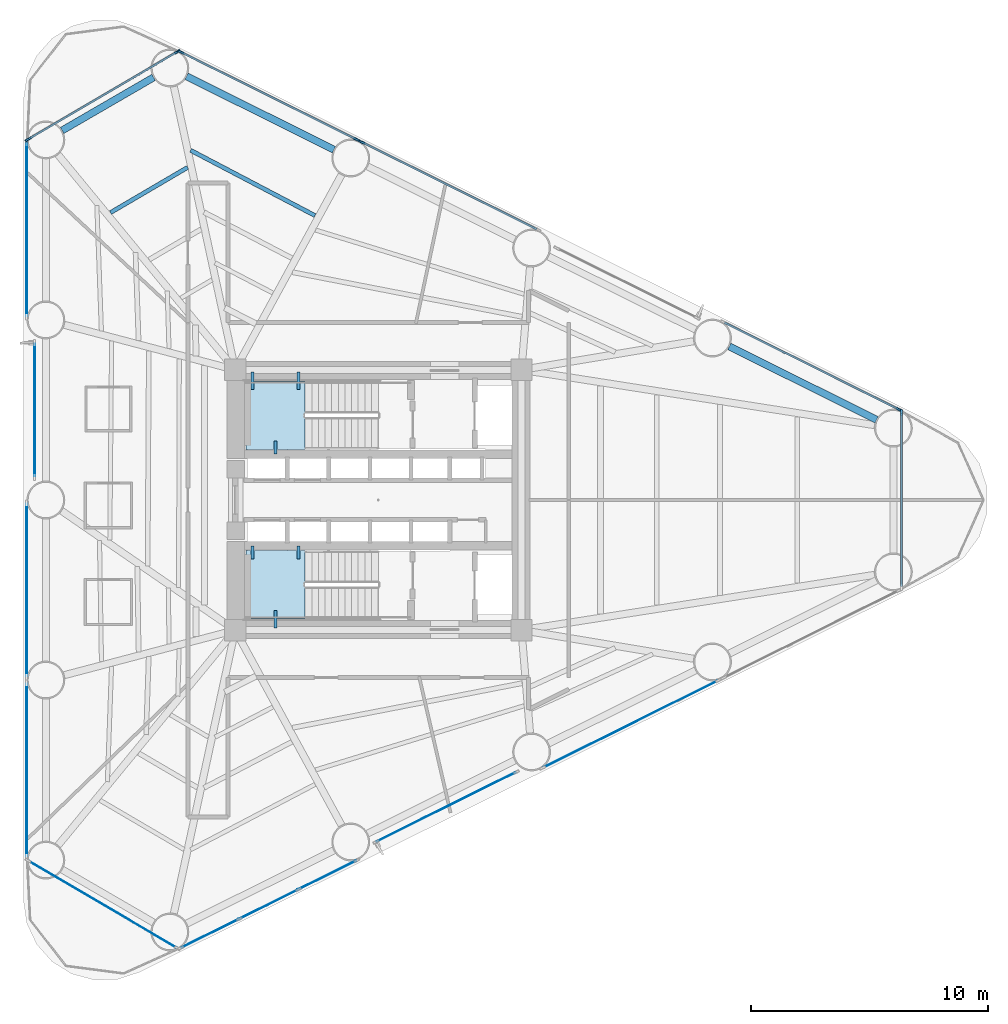
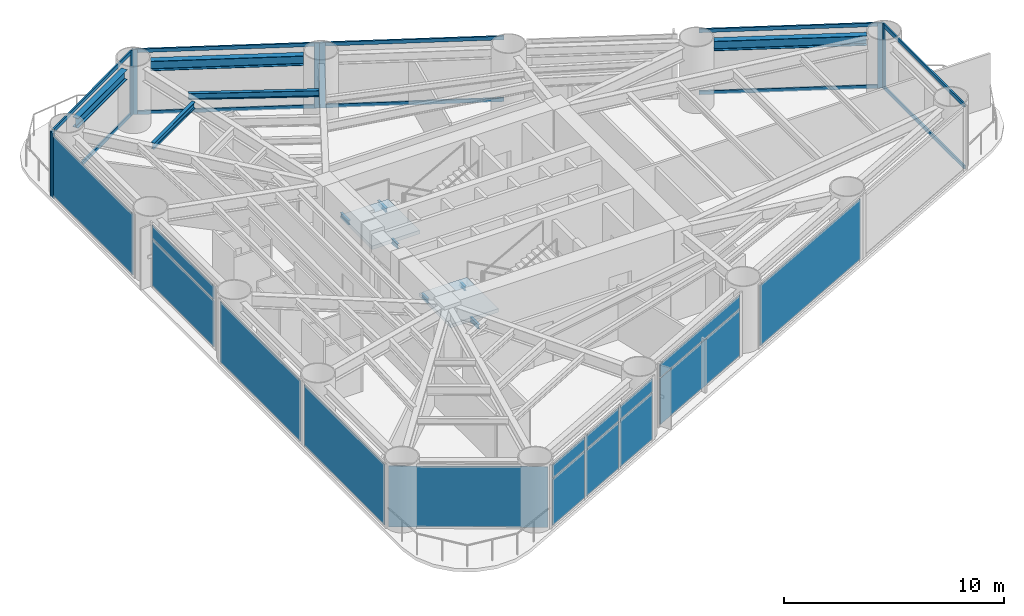
# One storey, part 4 of 10: 18 members, 15 plates, 11 beams, 2 slabs, 15 elements without a shape of their own.
"""IFC4 building model written with IfcOpenShell, lengths in metres."""

from ifc_helpers import new_model, si_unit, direction, frame, origin, origin_2d, place, context, subcontext, project, spatial, polyline, rectangle, i_section, outline, extrude, source, transform, mapped, material, layer, layer_set, material_profile, profile_set, type_object, element, aggregate, save


model = new_model("IFC4")

# Units and contexts
model_context = context("Model", 3, precision=1e-05, world=origin(), true_north=direction((0.0, 1.0)))
body_context = subcontext(model_context, "Body", "Model", "MODEL_VIEW")
ifc_project = project(units=[si_unit("LENGTHUNIT", "METRE"), si_unit("AREAUNIT", "SQUARE_METRE"), si_unit("VOLUMEUNIT", "CUBIC_METRE"), si_unit("PLANEANGLEUNIT", "RADIAN"), si_unit("MASSUNIT", "GRAM", prefix="KILO")], contexts=[model_context])

# Site, building, storey
site_placement = place(None, origin())
site = spatial("IfcSite", under=ifc_project, at=site_placement, CompositionType="ELEMENT")
building_placement = place(site_placement, origin())
building = spatial("IfcBuilding", under=site, at=building_placement, Name="Yunling Apex Tower", CompositionType="ELEMENT")
storey_placement = place(building_placement, frame((0.0, 0.0, 27.5)))
storey = spatial("IfcBuildingStorey", under=building, at=storey_placement, Name="L08", CompositionType="ELEMENT", Elevation=27.5)

# Beams
ifc_material_1 = material(Name="Steel Q355B", Category="steel")
ifc_material_profile_1 = material_profile(ifc_material_1, i_section(OverallWidth=0.125, OverallDepth=0.25, WebThickness=0.006103515625, FlangeThickness=0.009033203125, FilletRadius=0.011962890625, at=origin_2d()))
ifc_profile_set_1 = profile_set([ifc_material_profile_1], Name="Steel Q355B")
beam_type_1 = type_object("IfcBeamType", Name="BL-LNT-1", PredefinedType="LINTEL", material=ifc_profile_set_1)
shared_shape_1 = source(origin(), body_context, "Body", "SweptSolid", [
    extrude(i_section(OverallWidth=0.125, OverallDepth=0.25, WebThickness=0.006103515625, FlangeThickness=0.009033203125, FilletRadius=0.011962890625, at=origin_2d()), origin(), (0.0, 0.0, 1.0), 0.760009765625),
])
for number, where, z_axis, x_axis, name in (
    (1, (-5.320068359375, 5.419921875, 1.530029296875), (0.0, -1.0, 0.0), (1.0, 0.0, 0.0), "L08 ST-1 Landing Bearing Corbel 1-1"),
    (2, (-3.3701171875, 5.419921875, 1.530029296875), (0.0, -1.0, 0.0), (1.0, 0.0, 0.0), "L08 ST-1 Landing Bearing Corbel 1-2"),
    (3, (-4.344970703125, -5.419921875, 1.530029296875), (0.0, 1.0, 0.0), (-1.0, 0.0, 0.0), "L08 ST-2 Landing Bearing Corbel 1-3"),
):
    element("IfcBeam", number, at=place(storey_placement, frame(where, z_axis=z_axis, x_axis=x_axis)), inside=storey, type_object=beam_type_1, Name=name, PredefinedType="LINTEL", context=body_context, shape_type="MappedRepresentation", body=[
        mapped(shared_shape_1, transform((0.0, 0.0, 0.0), scale=1.0)),
    ])
shared_shape_2 = source(origin(), body_context, "Body", "SweptSolid", [
    extrude(i_section(OverallWidth=0.125, OverallDepth=0.25, WebThickness=0.006103515625, FlangeThickness=0.009033203125, FilletRadius=0.011962890625, at=origin_2d()), origin(), (0.0, 0.0, 1.0), 0.550048828125),
])
for number, where, z_axis, x_axis, name in (
    (4, (-4.344970703125, 1.93994140625, 1.530029296875), (0.0, 1.0, 0.0), (-1.0, 0.0, 0.0), "L08 ST-1 Landing Bearing Corbel 1-3"),
    (5, (-5.320068359375, -1.93994140625, 1.530029296875), (0.0, -1.0, 0.0), (1.0, 0.0, 0.0), "L08 ST-2 Landing Bearing Corbel 1-1"),
    (6, (-3.3701171875, -1.93994140625, 1.530029296875), (0.0, -1.0, 0.0), (1.0, 0.0, 0.0), "L08 ST-2 Landing Bearing Corbel 1-2"),
):
    element("IfcBeam", number, at=place(storey_placement, frame(where, z_axis=z_axis, x_axis=x_axis)), inside=storey, type_object=beam_type_1, Name=name, PredefinedType="LINTEL", context=body_context, shape_type="MappedRepresentation", body=[
        mapped(shared_shape_2, transform((0.0, 0.0, 0.0), scale=1.0)),
    ])
ifc_material_profile_2 = material_profile(ifc_material_1, i_section(OverallWidth=0.300048828125, OverallDepth=0.5400390625, WebThickness=0.011962890625, FlangeThickness=0.02001953125, FilletRadius=0.02392578125, at=origin_2d()))
ifc_profile_set_2 = profile_set([ifc_material_profile_2], Name="Steel Q355B")
beam_type_2 = type_object("IfcBeamType", Name="BP-SPN-1", PredefinedType="SPANDREL", material=ifc_profile_set_2)
shared_shape_3 = source(origin(), body_context, "Body", "SweptSolid", [
    extrude(i_section(OverallWidth=0.300048828125, OverallDepth=0.5400390625, WebThickness=0.011962890625, FlangeThickness=0.02001953125, FilletRadius=0.02392578125, at=origin_2d()), origin(), (0.0, 0.0, 1.0), 6.950927734375),
])
for number, where, z_axis, x_axis, name in (
    (7, (21.055419921875, 3.392578125, 3.2451171875), (-0.895247556401, 0.445569088646, 0.0), (-0.445569088646, -0.895247556401, 0.0), "L08 Perimeter Spandrel Beam 6"),
    (8, (-1.8779296875, 14.806884765625, 3.2451171875), (-0.89524058306, 0.445583099368, 0.0), (-0.445583099368, -0.89524058306, 0.0), "L08 Perimeter Spandrel Beam 9"),
):
    element("IfcBeam", number, at=place(storey_placement, frame(where, z_axis=z_axis, x_axis=x_axis)), inside=storey, type_object=beam_type_2, Name=name, PredefinedType="SPANDREL", context=body_context, shape_type="MappedRepresentation", body=[
        mapped(shared_shape_3, transform((0.0, 0.0, 0.0), scale=1.0)),
    ])
shared_shape_4 = source(origin(), body_context, "Body", "SweptSolid", [
    extrude(i_section(OverallWidth=0.300048828125, OverallDepth=0.5400390625, WebThickness=0.011962890625, FlangeThickness=0.02001953125, FilletRadius=0.02392578125, at=origin_2d()), origin(), (0.0, 0.0, 1.0), 4.469970703125),
])
beam_1_placement = place(storey_placement, frame((-9.498291015625, 17.859619140625, 3.2451171875), z_axis=(-0.865055841155, -0.501675584102, 0.0), x_axis=(0.501675584102, -0.865055841155, 0.0)))
element("IfcBeam", 9, at=beam_1_placement, inside=storey, type_object=beam_type_2, Name="L08 Perimeter Spandrel Beam 10", PredefinedType="SPANDREL", context=body_context, shape_type="MappedRepresentation", body=[
    mapped(shared_shape_4, transform((0.0, 0.0, 0.0), scale=1.0)),
])
ifc_material_profile_3 = material_profile(ifc_material_1, i_section(OverallWidth=0.175048828125, OverallDepth=0.35009765625, WebThickness=0.007080078125, FlangeThickness=0.010986328125, FilletRadius=0.013916015625, at=origin_2d()))
ifc_profile_set_3 = profile_set([ifc_material_profile_3], Name="Steel Q355B")
beam_type_3 = type_object("IfcBeamType", Name="BJ-JST-1", PredefinedType="JOIST", material=ifc_profile_set_3)
shared_shape_5 = source(origin(), body_context, "Body", "SweptSolid", [
    extrude(i_section(OverallWidth=0.175048828125, OverallDepth=0.35009765625, WebThickness=0.007080078125, FlangeThickness=0.010986328125, FilletRadius=0.013916015625, at=origin_2d()), origin(), (0.0, 0.0, 1.0), 5.935791015625),
])
beam_2_placement = place(storey_placement, frame((-2.676513671875, 12.02001953125, 3.340087890625), z_axis=(-0.885494794786, 0.464649296144, 0.0), x_axis=(-0.464649296144, -0.885494794786, 0.0)))
element("IfcBeam", 10, at=beam_2_placement, inside=storey, type_object=beam_type_3, Name="L08 Composite Floor Joist BJ1-9", PredefinedType="JOIST", context=body_context, shape_type="MappedRepresentation", body=[
    mapped(shared_shape_5, transform((0.0, 0.0, 0.0), scale=1.0)),
])
shared_shape_6 = source(origin(), body_context, "Body", "SweptSolid", [
    extrude(i_section(OverallWidth=0.175048828125, OverallDepth=0.35009765625, WebThickness=0.007080078125, FlangeThickness=0.010986328125, FilletRadius=0.013916015625, at=origin_2d()), origin(), (0.0, 0.0, 1.0), 3.77880859375),
])
beam_3_placement = place(storey_placement, frame((-8.05810546875, 14.05810546875, 3.340087890625), z_axis=(-0.862642562353, -0.50581400694, 0.0), x_axis=(0.50581400694, -0.862642562353, 0.0)))
element("IfcBeam", 11, at=beam_3_placement, inside=storey, type_object=beam_type_3, Name="L08 Composite Floor Joist BJ1-10", PredefinedType="JOIST", context=body_context, shape_type="MappedRepresentation", body=[
    mapped(shared_shape_6, transform((0.0, 0.0, 0.0), scale=1.0)),
])

# Curtain wall, member
ifc_material_2 = material(Name="Bronze anodised aluminium", Category="aluminium")
ifc_layer_1 = layer(ifc_material_2, 0.260009765625)
ifc_layer_set_1 = layer_set([ifc_layer_1], Name="Bronze anodised aluminium")
curtain_wall_type = type_object("IfcCurtainWallType", Name="CW-SYS-2", PredefinedType="NOTDEFINED", material=ifc_layer_set_1)
curtain_wall_1_placement = place(storey_placement, origin())
curtain_wall_1 = element("IfcCurtainWall", 12, at=curtain_wall_1_placement, inside=storey, type_object=curtain_wall_type, Name="CW-L08-CRN1", PredefinedType="NOTDEFINED")
ifc_material_profile_4 = material_profile(ifc_material_2, rectangle(XDim=0.0849609375, YDim=0.260009765625, at=origin_2d()))
ifc_profile_set_4 = profile_set([ifc_material_profile_4], Name="Bronze anodised aluminium")
member_type_1 = type_object("IfcMemberType", Name="CW-MUL-2", PredefinedType="MULLION", material=ifc_profile_set_4)
shared_shape_7 = source(origin(), body_context, "Body", "SweptSolid", [
    extrude(rectangle(XDim=0.0849609375, YDim=0.260009765625, at=origin_2d()), origin(), (0.0, 0.0, 1.0), 3.614990234375),
])
member_1_placement = place(storey_placement, frame((22.1181640625, 3.70361328125, -0.050048828125), z_axis=(0.0, 0.0, 1.0), x_axis=(-1.0, 0.0, 0.0)))
member_1 = element("IfcMember", 13, at=member_1_placement, type_object=member_type_1, Name="CW-SYS-2 mullion 2", PredefinedType="MULLION", context=body_context, shape_type="MappedRepresentation", body=[
    mapped(shared_shape_7, transform((0.0, 0.0, 0.0), scale=1.0)),
])

curtain_wall_2_placement = place(storey_placement, origin())
curtain_wall_2 = element("IfcCurtainWall", 14, at=curtain_wall_2_placement, inside=storey, type_object=curtain_wall_type, Name="CW-L08-F2-B1", PredefinedType="NOTDEFINED")
member_2_placement = place(storey_placement, frame((22.017333984375, 3.818603515625, -0.050048828125), z_axis=(0.0, 0.0, 1.0), x_axis=(-0.445580190214, -0.895242031011, 0.0)))
member_2 = element("IfcMember", 15, at=member_2_placement, type_object=member_type_1, Name="CW-SYS-2 mullion 1", PredefinedType="MULLION", context=body_context, shape_type="MappedRepresentation", body=[
    mapped(shared_shape_7, transform((0.0, 0.0, 0.0), scale=1.0)),
])

curtain_wall_3_placement = place(storey_placement, origin())
curtain_wall_3 = element("IfcCurtainWall", 16, at=curtain_wall_3_placement, inside=storey, type_object=curtain_wall_type, Name="CW-L08-F2-B3", PredefinedType="NOTDEFINED")
member_3_placement = place(storey_placement, frame((-0.696533203125, 15.123779296875, -0.050048828125), z_axis=(0.0, 0.0, 1.0), x_axis=(-0.445580190214, -0.895242031011, 0.0)))
member_3 = element("IfcMember", 17, at=member_3_placement, type_object=member_type_1, Name="CW-SYS-2 mullion 2", PredefinedType="MULLION", context=body_context, shape_type="MappedRepresentation", body=[
    mapped(shared_shape_7, transform((0.0, 0.0, 0.0), scale=1.0)),
])

# Curtain wall, members
curtain_wall_4_placement = place(storey_placement, origin())
curtain_wall_4 = element("IfcCurtainWall", 18, at=curtain_wall_4_placement, inside=storey, type_object=curtain_wall_type, Name="CW-L08-F2-B4", PredefinedType="NOTDEFINED")
member_4_placement = place(storey_placement, frame((-0.915771484375, 15.23291015625, -0.050048828125), z_axis=(0.0, 0.0, 1.0), x_axis=(-0.445570625003, -0.895246791748, 0.0)))
member_4 = element("IfcMember", 19, at=member_4_placement, type_object=member_type_1, Name="CW-SYS-2 mullion 1", PredefinedType="MULLION", context=body_context, shape_type="MappedRepresentation", body=[
    mapped(shared_shape_7, transform((0.0, 0.0, 0.0), scale=1.0)),
])
member_5_placement = place(storey_placement, frame((-8.341064453125, 18.928466796875, -0.050048828125), z_axis=(0.0, 0.0, 1.0), x_axis=(-0.445570625003, -0.895246791748, 0.0)))
member_5 = element("IfcMember", 20, at=member_5_placement, type_object=member_type_1, Name="CW-SYS-2 mullion 2", PredefinedType="MULLION", context=body_context, shape_type="MappedRepresentation", body=[
    mapped(shared_shape_7, transform((0.0, 0.0, 0.0), scale=1.0)),
])

curtain_wall_5_placement = place(storey_placement, origin())
curtain_wall_5 = element("IfcCurtainWall", 21, at=curtain_wall_5_placement, inside=storey, type_object=curtain_wall_type, Name="CW-L08-CRN2", PredefinedType="NOTDEFINED")
member_6_placement = place(storey_placement, frame((-8.49609375, 18.943603515625, -0.050048828125), z_axis=(0.0, 0.0, 1.0), x_axis=(0.506195543811, -0.86241873323, 0.0)))
member_6 = element("IfcMember", 22, at=member_6_placement, type_object=member_type_1, Name="CW-SYS-2 mullion 1", PredefinedType="MULLION", context=body_context, shape_type="MappedRepresentation", body=[
    mapped(shared_shape_7, transform((0.0, 0.0, 0.0), scale=1.0)),
])
member_7_placement = place(storey_placement, frame((-14.805419921875, 15.240478515625, -0.050048828125), z_axis=(0.0, 0.0, 1.0), x_axis=(0.506195543811, -0.86241873323, 0.0)))
member_7 = element("IfcMember", 23, at=member_7_placement, type_object=member_type_1, Name="CW-SYS-2 mullion 2", PredefinedType="MULLION", context=body_context, shape_type="MappedRepresentation", body=[
    mapped(shared_shape_7, transform((0.0, 0.0, 0.0), scale=1.0)),
])

# Curtain wall, member
curtain_wall_6_placement = place(storey_placement, origin())
curtain_wall_6 = element("IfcCurtainWall", 24, at=curtain_wall_6_placement, inside=storey, type_object=curtain_wall_type, Name="CW-L08-F3-B1", PredefinedType="NOTDEFINED")
member_8_placement = place(storey_placement, frame((-14.862060546875, 15.096435546875, -0.050048828125), z_axis=(0.0, 0.0, 1.0), x_axis=(1.0, 0.0, 0.0)))
member_8 = element("IfcMember", 25, at=member_8_placement, type_object=member_type_1, Name="CW-SYS-2 mullion 1", PredefinedType="MULLION", context=body_context, shape_type="MappedRepresentation", body=[
    mapped(shared_shape_7, transform((0.0, 0.0, 0.0), scale=1.0)),
])

# Member
ifc_material_profile_5 = material_profile(ifc_material_2, rectangle(XDim=0.0849609375, YDim=0.199951171875, at=origin_2d()))
ifc_profile_set_5 = profile_set([ifc_material_profile_5], Name="Bronze anodised aluminium")
member_type_2 = type_object("IfcMemberType", Name="CW-TRN-2", PredefinedType="USERDEFINED", material=ifc_profile_set_5)
shared_shape_8 = source(origin(), body_context, "Body", "SweptSolid", [
    extrude(rectangle(XDim=0.0849609375, YDim=0.199951171875, at=origin_2d()), origin(), (0.0, 0.0, 1.0), 8.217529296875),
])
member_9_placement = place(storey_placement, frame((6.6943359375, 11.445068359375, 0.04248046875), z_axis=(-0.895239752613, 0.445584767852, 0.0), x_axis=(-0.445584767852, -0.895239752613, 0.0)))
member_9 = element("IfcMember", 26, at=member_9_placement, type_object=member_type_2, Name="CW-SYS-2 transom 1.1", ObjectType="TRANSOM", PredefinedType="USERDEFINED", context=body_context, shape_type="MappedRepresentation", body=[
    mapped(shared_shape_8, transform((0.0, 0.0, 0.0), scale=1.0)),
])

member_10_placement = place(storey_placement, frame((6.6943359375, 11.445068359375, 3.472412109375), z_axis=(-0.895239752613, 0.445584767852, 0.0), x_axis=(-0.445584767852, -0.895239752613, 0.0)))
member_10 = element("IfcMember", 27, at=member_10_placement, type_object=member_type_2, Name="CW-SYS-2 transom 1.2", ObjectType="TRANSOM", PredefinedType="USERDEFINED", context=body_context, shape_type="MappedRepresentation", body=[
    mapped(shared_shape_8, transform((0.0, 0.0, 0.0), scale=1.0)),
])

aggregate(curtain_wall_3, [member_3, member_9, member_10])

shared_shape_9 = source(origin(), body_context, "Body", "SweptSolid", [
    extrude(rectangle(XDim=0.0849609375, YDim=0.199951171875, at=origin_2d()), origin(), (0.0, 0.0, 1.0), 8.21728515625),
])
member_11_placement = place(storey_placement, frame((21.983154296875, 3.835693359375, 0.04248046875), z_axis=(-0.895245705371, 0.445572807761, 0.0), x_axis=(-0.445572807761, -0.895245705371, 0.0)))
member_11 = element("IfcMember", 28, at=member_11_placement, type_object=member_type_2, Name="CW-SYS-2 transom 1.1", ObjectType="TRANSOM", PredefinedType="USERDEFINED", context=body_context, shape_type="MappedRepresentation", body=[
    mapped(shared_shape_9, transform((0.0, 0.0, 0.0), scale=1.0)),
])

member_12_placement = place(storey_placement, frame((21.983154296875, 3.835693359375, 3.472412109375), z_axis=(-0.895245705371, 0.445572807761, 0.0), x_axis=(-0.445572807761, -0.895245705371, 0.0)))
member_12 = element("IfcMember", 29, at=member_12_placement, type_object=member_type_2, Name="CW-SYS-2 transom 1.2", ObjectType="TRANSOM", PredefinedType="USERDEFINED", context=body_context, shape_type="MappedRepresentation", body=[
    mapped(shared_shape_9, transform((0.0, 0.0, 0.0), scale=1.0)),
])

aggregate(curtain_wall_2, [member_2, member_11, member_12])

member_13_placement = place(storey_placement, frame((-0.9501953125, 15.25, 0.04248046875), z_axis=(-0.895245705371, 0.445572807761, 0.0), x_axis=(-0.445572807761, -0.895245705371, 0.0)))
member_13 = element("IfcMember", 30, at=member_13_placement, type_object=member_type_2, Name="CW-SYS-2 transom 1.1", ObjectType="TRANSOM", PredefinedType="USERDEFINED", context=body_context, shape_type="MappedRepresentation", body=[
    mapped(shared_shape_9, transform((0.0, 0.0, 0.0), scale=1.0)),
])

member_14_placement = place(storey_placement, frame((-0.9501953125, 15.25, 3.472412109375), z_axis=(-0.895245705371, 0.445572807761, 0.0), x_axis=(-0.445572807761, -0.895245705371, 0.0)))
member_14 = element("IfcMember", 31, at=member_14_placement, type_object=member_type_2, Name="CW-SYS-2 transom 1.2", ObjectType="TRANSOM", PredefinedType="USERDEFINED", context=body_context, shape_type="MappedRepresentation", body=[
    mapped(shared_shape_9, transform((0.0, 0.0, 0.0), scale=1.0)),
])

aggregate(curtain_wall_4, [member_4, member_5, member_13, member_14])

shared_shape_10 = source(origin(), body_context, "Body", "SweptSolid", [
    extrude(rectangle(XDim=0.0849609375, YDim=0.199951171875, at=origin_2d()), origin(), (0.0, 0.0, 1.0), 7.33056640625),
])
member_15_placement = place(storey_placement, frame((22.1181640625, -3.665283203125, 0.04248046875), z_axis=(0.0, 1.0, 0.0), x_axis=(-1.0, 0.0, 0.0)))
member_15 = element("IfcMember", 32, at=member_15_placement, type_object=member_type_2, Name="CW-SYS-2 transom 1.1", ObjectType="TRANSOM", PredefinedType="USERDEFINED", context=body_context, shape_type="MappedRepresentation", body=[
    mapped(shared_shape_10, transform((0.0, 0.0, 0.0), scale=1.0)),
])

member_16_placement = place(storey_placement, frame((22.1181640625, -3.665283203125, 3.472412109375), z_axis=(0.0, 1.0, 0.0), x_axis=(-1.0, 0.0, 0.0)))
member_16 = element("IfcMember", 33, at=member_16_placement, type_object=member_type_2, Name="CW-SYS-2 transom 1.2", ObjectType="TRANSOM", PredefinedType="USERDEFINED", context=body_context, shape_type="MappedRepresentation", body=[
    mapped(shared_shape_10, transform((0.0, 0.0, 0.0), scale=1.0)),
])

aggregate(curtain_wall_1, [member_1, member_15, member_16])

shared_shape_11 = source(origin(), body_context, "Body", "SweptSolid", [
    extrude(rectangle(XDim=0.0849609375, YDim=0.199951171875, at=origin_2d()), origin(), (0.0, 0.0, 1.0), 7.239501953125),
])
member_17_placement = place(storey_placement, frame((-8.529052734375, 18.92431640625, 0.04248046875), z_axis=(-0.862419304353, -0.506194570772, 0.0), x_axis=(0.506194570772, -0.862419304353, 0.0)))
member_17 = element("IfcMember", 34, at=member_17_placement, type_object=member_type_2, Name="CW-SYS-2 transom 1.1", ObjectType="TRANSOM", PredefinedType="USERDEFINED", context=body_context, shape_type="MappedRepresentation", body=[
    mapped(shared_shape_11, transform((0.0, 0.0, 0.0), scale=1.0)),
])

member_18_placement = place(storey_placement, frame((-8.529052734375, 18.92431640625, 3.472412109375), z_axis=(-0.862419304353, -0.506194570772, 0.0), x_axis=(0.506194570772, -0.862419304353, 0.0)))
member_18 = element("IfcMember", 35, at=member_18_placement, type_object=member_type_2, Name="CW-SYS-2 transom 1.2", ObjectType="TRANSOM", PredefinedType="USERDEFINED", context=body_context, shape_type="MappedRepresentation", body=[
    mapped(shared_shape_11, transform((0.0, 0.0, 0.0), scale=1.0)),
])

aggregate(curtain_wall_5, [member_6, member_7, member_17, member_18])

# Stair, slab
ifc_material_3 = material(Name="Concrete C40", Category="concrete")
stair_type = type_object("IfcStairType", Name="ST-TWR-1", PredefinedType="HALF_TURN_STAIR", material=ifc_material_3)
stair_1_placement = place(storey_placement, origin())
stair_1 = element("IfcStair", 36, at=stair_1_placement, inside=storey, type_object=stair_type, Name="L08 North Core Smokeproof Exit Stair ST-1", PredefinedType="HALF_TURN_STAIR")
ifc_layer_2 = layer(ifc_material_3, 0.195068359375)
ifc_layer_set_2 = layer_set([ifc_layer_2], Name="Concrete C40")
slab_type = type_object("IfcSlabType", Name="SL-LND-1", PredefinedType="LANDING", material=ifc_layer_set_2)
slab_1_placement = place(storey_placement, frame((0.0, 0.0, 1.655029296875)))
slab_1 = element("IfcSlab", 37, at=slab_1_placement, type_object=slab_type, Name="ST-1 landing 1", PredefinedType="LANDING", context=body_context, shape_type="SweptSolid", body=[
    extrude(outline(polyline([(-3.090087890625, 5.010009765625), (-5.60009765625, 5.010009765625), (-5.60009765625, 2.139892578125), (-3.090087890625, 2.139892578125), (-3.090087890625, 5.010009765625)])), origin(), (0.0, 0.0, 1.0), 0.195068359375),
])
aggregate(stair_1, [slab_1])

stair_2_placement = place(storey_placement, origin())
stair_2 = element("IfcStair", 38, at=stair_2_placement, inside=storey, type_object=stair_type, Name="L08 South Core Smokeproof Exit Stair ST-2", PredefinedType="HALF_TURN_STAIR")
slab_2_placement = place(storey_placement, frame((0.0, 0.0, 1.655029296875)))
slab_2 = element("IfcSlab", 39, at=slab_2_placement, type_object=slab_type, Name="ST-2 landing 1", PredefinedType="LANDING", context=body_context, shape_type="SweptSolid", body=[
    extrude(outline(polyline([(-3.090087890625, -2.139892578125), (-5.60009765625, -2.139892578125), (-5.60009765625, -5.010009765625), (-3.090087890625, -5.010009765625), (-3.090087890625, -2.139892578125)])), origin(), (0.0, 0.0, 1.0), 0.195068359375),
])
aggregate(stair_2, [slab_2])

# Curtain wall, plates
curtain_wall_7_placement = place(storey_placement, origin())
curtain_wall_7 = element("IfcCurtainWall", 40, at=curtain_wall_7_placement, inside=storey, type_object=curtain_wall_type, Name="CW-L08-F1-B1", PredefinedType="NOTDEFINED")
ifc_material_4 = material(Name="Bronze tinted low-E glass", Category="glass")
ifc_layer_3 = layer(ifc_material_4, 0.033935546875)
ifc_layer_set_3 = layer_set([ifc_layer_3], Name="Bronze tinted low-E glass")
plate_type = type_object("IfcPlateType", Name="CW-PNL-2", PredefinedType="CURTAIN_PANEL", material=ifc_layer_set_3)
shared_shape_12 = source(origin(), body_context, "Body", "SweptSolid", [
    extrude(rectangle(XDim=2.681884765625, YDim=0.033935546875, at=origin_2d()), origin(), (0.0, 0.0, 1.0), 2.560302734375),
])
plate_1_placement = place(storey_placement, frame((-7.10986328125, -18.315673828125, 0.07666015625), z_axis=(0.0, 0.0, 1.0), x_axis=(0.895246791748, 0.445570625003, 0.0)))
plate_1 = element("IfcPlate", 41, at=plate_1_placement, type_object=plate_type, Name="CW-SYS-2 panel 1.1", PredefinedType="CURTAIN_PANEL", context=body_context, shape_type="MappedRepresentation", body=[
    mapped(shared_shape_12, transform((0.0, 0.0, 0.0), scale=1.0)),
])
plate_2_placement = place(storey_placement, frame((-2.14697265625, -15.845703125, 0.07666015625), z_axis=(0.0, 0.0, 1.0), x_axis=(0.895246791748, 0.445570625003, 0.0)))
plate_2 = element("IfcPlate", 42, at=plate_2_placement, type_object=plate_type, Name="CW-SYS-2 panel 3.1", PredefinedType="CURTAIN_PANEL", context=body_context, shape_type="MappedRepresentation", body=[
    mapped(shared_shape_12, transform((0.0, 0.0, 0.0), scale=1.0)),
])
shared_shape_13 = source(origin(), body_context, "Body", "SweptSolid", [
    extrude(rectangle(XDim=2.681884765625, YDim=0.033935546875, at=origin_2d()), origin(), (0.0, 0.0, 1.0), 0.732666015625),
])
plate_3_placement = place(storey_placement, frame((-7.10986328125, -18.315673828125, 2.70556640625), z_axis=(0.0, 0.0, 1.0), x_axis=(0.895246791748, 0.445570625003, 0.0)))
plate_3 = element("IfcPlate", 43, at=plate_3_placement, type_object=plate_type, Name="CW-SYS-2 panel 1.2", PredefinedType="CURTAIN_PANEL", context=body_context, shape_type="MappedRepresentation", body=[
    mapped(shared_shape_13, transform((0.0, 0.0, 0.0), scale=1.0)),
])
plate_4_placement = place(storey_placement, frame((-2.14697265625, -15.845703125, 2.70556640625), z_axis=(0.0, 0.0, 1.0), x_axis=(0.895246791748, 0.445570625003, 0.0)))
plate_4 = element("IfcPlate", 44, at=plate_4_placement, type_object=plate_type, Name="CW-SYS-2 panel 3.2", PredefinedType="CURTAIN_PANEL", context=body_context, shape_type="MappedRepresentation", body=[
    mapped(shared_shape_13, transform((0.0, 0.0, 0.0), scale=1.0)),
])
shared_shape_14 = source(origin(), body_context, "Body", "SweptSolid", [
    extrude(rectangle(XDim=2.724365234375, YDim=0.033935546875, at=origin_2d()), origin(), (0.0, 0.0, 1.0), 2.560302734375),
])
plate_5_placement = place(storey_placement, frame((-4.62841796875, -17.08056640625, 0.07666015625), z_axis=(0.0, 0.0, 1.0), x_axis=(0.895246791748, 0.445570625003, 0.0)))
plate_5 = element("IfcPlate", 45, at=plate_5_placement, type_object=plate_type, Name="CW-SYS-2 panel 2.1", PredefinedType="CURTAIN_PANEL", context=body_context, shape_type="MappedRepresentation", body=[
    mapped(shared_shape_14, transform((0.0, 0.0, 0.0), scale=1.0)),
])
shared_shape_15 = source(origin(), body_context, "Body", "SweptSolid", [
    extrude(rectangle(XDim=2.724365234375, YDim=0.033935546875, at=origin_2d()), origin(), (0.0, 0.0, 1.0), 0.732666015625),
])
plate_6_placement = place(storey_placement, frame((-4.62841796875, -17.08056640625, 2.70556640625), z_axis=(0.0, 0.0, 1.0), x_axis=(0.895246791748, 0.445570625003, 0.0)))
plate_6 = element("IfcPlate", 46, at=plate_6_placement, type_object=plate_type, Name="CW-SYS-2 panel 2.2", PredefinedType="CURTAIN_PANEL", context=body_context, shape_type="MappedRepresentation", body=[
    mapped(shared_shape_15, transform((0.0, 0.0, 0.0), scale=1.0)),
])
aggregate(curtain_wall_7, [plate_1, plate_3, plate_5, plate_6, plate_2, plate_4])

# Curtain wall, plate
curtain_wall_8_placement = place(storey_placement, origin())
curtain_wall_8 = element("IfcCurtainWall", 47, at=curtain_wall_8_placement, inside=storey, type_object=curtain_wall_type, Name="CW-L08-F1-B3", PredefinedType="NOTDEFINED")
shared_shape_16 = source(origin(), body_context, "Body", "SweptSolid", [
    extrude(rectangle(XDim=8.225341796875, YDim=0.033935546875, at=origin_2d()), origin(), (0.0, 0.0, 1.0), 3.361572265625),
])
plate_7_placement = place(storey_placement, frame((10.660400390625, -9.47119140625, 0.07666015625), z_axis=(0.0, 0.0, 1.0), x_axis=(0.895246791748, 0.445570625003, 0.0)))
plate_7 = element("IfcPlate", 48, at=plate_7_placement, type_object=plate_type, Name="CW-SYS-2 panel 1.1", PredefinedType="CURTAIN_PANEL", context=body_context, shape_type="MappedRepresentation", body=[
    mapped(shared_shape_16, transform((0.0, 0.0, 0.0), scale=1.0)),
])
aggregate(curtain_wall_8, [plate_7])

curtain_wall_9_placement = place(storey_placement, origin())
curtain_wall_9 = element("IfcCurtainWall", 49, at=curtain_wall_9_placement, inside=storey, type_object=curtain_wall_type, Name="CW-L08-CRN3", PredefinedType="NOTDEFINED")
shared_shape_17 = source(origin(), body_context, "Body", "SweptSolid", [
    extrude(rectangle(XDim=7.247314453125, YDim=0.033935546875, at=origin_2d()), origin(), (0.0, 0.0, 1.0), 3.361572265625),
])
plate_8_placement = place(storey_placement, frame((-11.650634765625, -17.092041015625, 0.07666015625), z_axis=(0.0, 0.0, 1.0), x_axis=(0.86241873323, -0.506195543811, 0.0)))
plate_8 = element("IfcPlate", 50, at=plate_8_placement, type_object=plate_type, Name="CW-SYS-2 panel 1.1", PredefinedType="CURTAIN_PANEL", context=body_context, shape_type="MappedRepresentation", body=[
    mapped(shared_shape_17, transform((0.0, 0.0, 0.0), scale=1.0)),
])
aggregate(curtain_wall_9, [plate_8])

# Plate
shared_shape_18 = source(origin(), body_context, "Body", "SweptSolid", [
    extrude(rectangle(XDim=7.2958984375, YDim=0.033935546875, at=origin_2d()), origin(), (0.0, 0.0, 1.0), 3.361572265625),
])
plate_9_placement = place(storey_placement, frame((-14.862060546875, 11.414306640625, 0.07666015625), z_axis=(0.0, 0.0, 1.0), x_axis=(0.0, -1.0, 0.0)))
plate_9 = element("IfcPlate", 51, at=plate_9_placement, type_object=plate_type, Name="CW-SYS-2 panel 1.1", PredefinedType="CURTAIN_PANEL", context=body_context, shape_type="MappedRepresentation", body=[
    mapped(shared_shape_18, transform((0.0, 0.0, 0.0), scale=1.0)),
])

aggregate(curtain_wall_6, [member_8, plate_9])

# Curtain wall, plate
curtain_wall_10_placement = place(storey_placement, origin())
curtain_wall_10 = element("IfcCurtainWall", 52, at=curtain_wall_10_placement, inside=storey, type_object=curtain_wall_type, Name="CW-L08-F3-B3", PredefinedType="NOTDEFINED")
plate_10_placement = place(storey_placement, frame((-14.862060546875, -3.8046875, 0.07666015625), z_axis=(0.0, 0.0, 1.0), x_axis=(0.0, -1.0, 0.0)))
plate_10 = element("IfcPlate", 53, at=plate_10_placement, type_object=plate_type, Name="CW-SYS-2 panel 1.1", PredefinedType="CURTAIN_PANEL", context=body_context, shape_type="MappedRepresentation", body=[
    mapped(shared_shape_18, transform((0.0, 0.0, 0.0), scale=1.0)),
])
aggregate(curtain_wall_10, [plate_10])

curtain_wall_11_placement = place(storey_placement, origin())
curtain_wall_11 = element("IfcCurtainWall", 54, at=curtain_wall_11_placement, inside=storey, type_object=curtain_wall_type, Name="CW-L08-F3-B4", PredefinedType="NOTDEFINED")
plate_11_placement = place(storey_placement, frame((-14.862060546875, -11.414306640625, 0.07666015625), z_axis=(0.0, 0.0, 1.0), x_axis=(0.0, -1.0, 0.0)))
plate_11 = element("IfcPlate", 55, at=plate_11_placement, type_object=plate_type, Name="CW-SYS-2 panel 1.1", PredefinedType="CURTAIN_PANEL", context=body_context, shape_type="MappedRepresentation", body=[
    mapped(shared_shape_18, transform((0.0, 0.0, 0.0), scale=1.0)),
])
aggregate(curtain_wall_11, [plate_11])

# Curtain wall, plates
curtain_wall_12_placement = place(storey_placement, origin())
curtain_wall_12 = element("IfcCurtainWall", 56, at=curtain_wall_12_placement, inside=storey, type_object=curtain_wall_type, Name="CW-L08-F1-B2", PredefinedType="NOTDEFINED")
shared_shape_19 = source(origin(), body_context, "Body", "SweptSolid", [
    extrude(rectangle(XDim=6.545654296875, YDim=0.033935546875, at=origin_2d()), origin(), (0.0, 0.0, 1.0), 2.560302734375),
])
plate_12_placement = place(storey_placement, frame((2.864501953125, -12.971435546875, 0.07666015625), z_axis=(0.0, 0.0, 1.0), x_axis=(0.895240741459, 0.445582781121, 0.0)))
plate_12 = element("IfcPlate", 57, at=plate_12_placement, type_object=plate_type, Name="CW-SYS-2 panel 1.1", PredefinedType="CURTAIN_PANEL", context=body_context, shape_type="MappedRepresentation", body=[
    mapped(shared_shape_19, transform((0.0, 0.0, 0.0), scale=1.0)),
])
shared_shape_20 = source(origin(), body_context, "Body", "SweptSolid", [
    extrude(rectangle(XDim=6.545654296875, YDim=0.033935546875, at=origin_2d()), origin(), (0.0, 0.0, 1.0), 0.732666015625),
])
plate_13_placement = place(storey_placement, frame((2.864501953125, -12.971435546875, 2.70556640625), z_axis=(0.0, 0.0, 1.0), x_axis=(0.895240741459, 0.445582781121, 0.0)))
plate_13 = element("IfcPlate", 58, at=plate_13_placement, type_object=plate_type, Name="CW-SYS-2 panel 1.2", PredefinedType="CURTAIN_PANEL", context=body_context, shape_type="MappedRepresentation", body=[
    mapped(shared_shape_20, transform((0.0, 0.0, 0.0), scale=1.0)),
])
aggregate(curtain_wall_12, [plate_12, plate_13])

curtain_wall_13_placement = place(storey_placement, origin())
curtain_wall_13 = element("IfcCurtainWall", 59, at=curtain_wall_13_placement, inside=storey, type_object=curtain_wall_type, Name="CW-L08-F3-B2", PredefinedType="NOTDEFINED")
shared_shape_21 = source(origin(), body_context, "Body", "SweptSolid", [
    extrude(rectangle(XDim=5.615966796875, YDim=0.033935546875, at=origin_2d()), origin(), (0.0, 0.0, 1.0), 2.560302734375),
])
plate_14_placement = place(storey_placement, frame((-14.52197265625, 3.8046875, 0.07666015625), z_axis=(0.0, 0.0, 1.0), x_axis=(0.0, -1.0, 0.0)))
plate_14 = element("IfcPlate", 60, at=plate_14_placement, type_object=plate_type, Name="CW-SYS-2 panel 1.1", PredefinedType="CURTAIN_PANEL", context=body_context, shape_type="MappedRepresentation", body=[
    mapped(shared_shape_21, transform((0.0, 0.0, 0.0), scale=1.0)),
])
shared_shape_22 = source(origin(), body_context, "Body", "SweptSolid", [
    extrude(rectangle(XDim=5.615966796875, YDim=0.033935546875, at=origin_2d()), origin(), (0.0, 0.0, 1.0), 0.732666015625),
])
plate_15_placement = place(storey_placement, frame((-14.52197265625, 3.8046875, 2.70556640625), z_axis=(0.0, 0.0, 1.0), x_axis=(0.0, -1.0, 0.0)))
plate_15 = element("IfcPlate", 61, at=plate_15_placement, type_object=plate_type, Name="CW-SYS-2 panel 1.2", PredefinedType="CURTAIN_PANEL", context=body_context, shape_type="MappedRepresentation", body=[
    mapped(shared_shape_22, transform((0.0, 0.0, 0.0), scale=1.0)),
])
aggregate(curtain_wall_13, [plate_14, plate_15])

save(model, "model.ifc")
